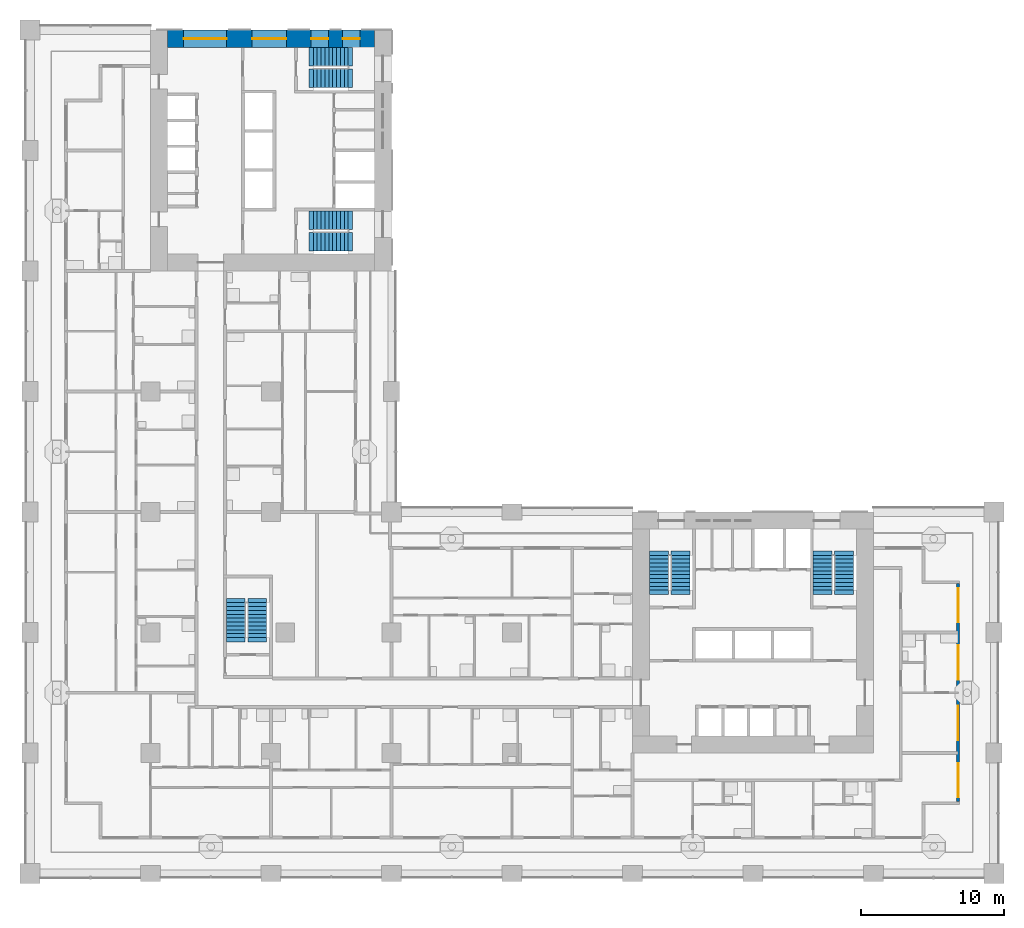
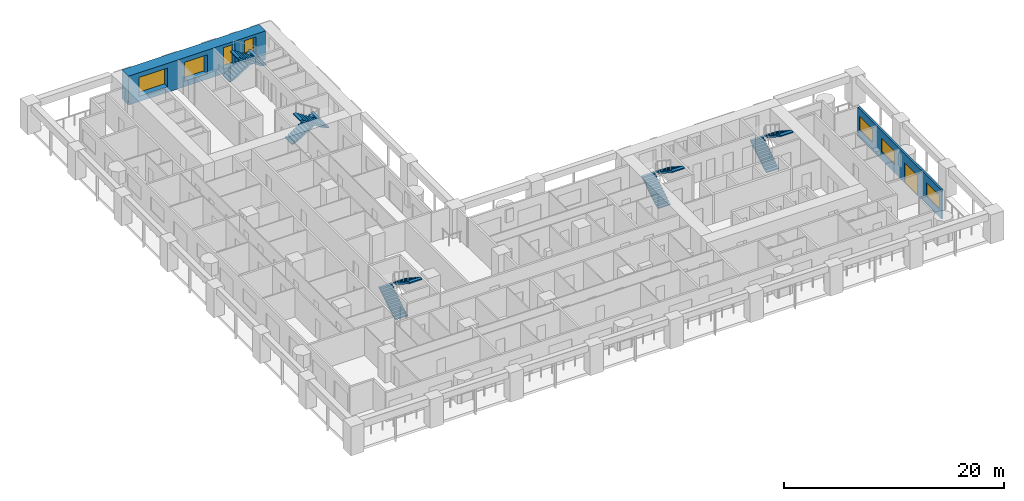
# One storey, part 11 of 22: 10 stair flights, 7 windows, 2 walls, 1 door, 8 openings, 5 elements without a shape of their own.
"""IFC4 building model written with IfcOpenShell, lengths in metres."""

import ifcopenshell
import ifcopenshell.guid

model = None  # the IFC model being written
_history = None  # IfcOwnerHistory: only IFC2X3 demands one
_inside = {}  # id of a spatial element -> (the spatial element, [elements in it])
_under = {}  # id of a project, library or spatial element -> (it, [spatial elements below it])
_declared = {}  # id of a project -> (the project, [libraries it declares])
_typed = {}  # id of a type object -> (the type object, [elements of that type])
_made_of = {}  # id of a material, layer set ... -> (it, [elements and type objects made of it])


def new_model(schema):
    """Start an empty IFC model of exactly this schema.

    Asked for "IFC4X3", IfcOpenShell would pick the latest addendum, in which some entities
    have other attributes; the version numbers below select the first issue.
    IFC2X3 requires an IfcOwnerHistory on every rooted entity: one is made here for all.
    """
    global model, _history
    if schema == "IFC4X3":
        model = ifcopenshell.file(schema_version=(4, 3, 0, 0))
    else:
        model = ifcopenshell.file(schema=schema)
    _inside.clear()
    _under.clear()
    _declared.clear()
    _typed.clear()
    _made_of.clear()
    _history = None
    if model.schema == "IFC2X3":
        org = make("IfcOrganization", Name="unknown")
        user = make(
            "IfcPersonAndOrganization",
            ThePerson=make("IfcPerson", FamilyName="unknown"),
            TheOrganization=org,
        )
        app = make(
            "IfcApplication",
            ApplicationDeveloper=org,
            Version="unknown",
            ApplicationFullName="unknown",
            ApplicationIdentifier="unknown",
        )
        _history = make(
            "IfcOwnerHistory",
            OwningUser=user,
            OwningApplication=app,
            ChangeAction="ADDED",
            CreationDate=0,
        )
    return model


def make(cls, **values):
    """One entity of the class cls with the attributes given. An attribute that is None is left unset."""
    return model.create_entity(
        cls, **{name: value for name, value in values.items() if value is not None}
    )


def rooted(cls, **values):
    """An entity with a GlobalId (a new one), such as an element, a storey or a relation."""
    return make(cls, GlobalId=ifcopenshell.guid.new(), OwnerHistory=_history, **values)


def si_unit(unit_type, name, prefix=None):
    """IfcSIUnit, for example si_unit("LENGTHUNIT", "METRE", prefix="MILLI")."""
    return make("IfcSIUnit", UnitType=unit_type, Prefix=prefix, Name=name)


def assignment(units):
    """IfcUnitAssignment: the units of a project."""
    return None if units is None else make("IfcUnitAssignment", Units=units)


def point(xyz):
    """IfcCartesianPoint."""
    return None if xyz is None else make("IfcCartesianPoint", Coordinates=xyz)


def direction(xyz):
    """IfcDirection."""
    return None if xyz is None else make("IfcDirection", DirectionRatios=xyz)


def frame(location, z_axis=None, x_axis=None):
    """IfcAxis2Placement3D, a coordinate frame: its origin and axes. An axis left out is left unset."""
    return make(
        "IfcAxis2Placement3D",
        Location=point(location),
        Axis=direction(z_axis),
        RefDirection=direction(x_axis),
    )


def frame_2d(location, x_axis=None):
    """IfcAxis2Placement2D, a coordinate frame in the plane: its origin and x axis."""
    return make(
        "IfcAxis2Placement2D", Location=point(location), RefDirection=direction(x_axis)
    )


def origin():
    """The frame at (0, 0, 0) with its axes left unset."""
    return frame((0.0, 0.0, 0.0))


def place(relative_to, where):
    """IfcLocalPlacement: puts the frame where relative to a parent placement (None: the world)."""
    return make(
        "IfcLocalPlacement", PlacementRelTo=relative_to, RelativePlacement=where
    )


def context(
    kind, dimensions, precision=None, world=None, true_north=None, identifier=None
):
    """IfcGeometricRepresentationContext, for example the 3D "Model" context."""
    return make(
        "IfcGeometricRepresentationContext",
        ContextIdentifier=identifier,
        ContextType=kind,
        CoordinateSpaceDimension=dimensions,
        Precision=precision,
        WorldCoordinateSystem=world,
        TrueNorth=true_north,
    )


def subcontext(parent, identifier, kind, view, scale=None):
    """IfcGeometricRepresentationSubContext, for example "Body" below "Model"."""
    return make(
        "IfcGeometricRepresentationSubContext",
        ContextIdentifier=identifier,
        ContextType=kind,
        ParentContext=parent,
        TargetScale=scale,
        TargetView=view,
    )


def project(units=None, contexts=None):
    """IfcProject with its units and contexts."""
    return rooted(
        "IfcProject",
        Name="project",
        RepresentationContexts=contexts,
        UnitsInContext=assignment(units),
    )


def spatial(cls, under=None, at=None, **own):
    """A site, building, storey or space (cls), placed at a placement, below another one or the project."""
    s = rooted(cls, ObjectPlacement=at, **own)
    if under is not None:
        _under.setdefault(under.id(), (under, []))[1].append(s)
    return s


def polyline(points):
    """IfcPolyline through the points."""
    return make("IfcPolyline", Points=[point(p) for p in points])


def profile(cls, at=None, kind="AREA", **sizes):
    """A parametric profile (cls). Its sizes go by their IFC names, for example OverallWidth=200.0."""
    return make(cls, ProfileType=kind, Position=at, **sizes)


def rectangle(**sizes):
    """IfcRectangleProfileDef."""
    return profile("IfcRectangleProfileDef", **sizes)


def outline(outer, holes=None, kind="AREA"):
    """IfcArbitraryClosedProfileDef: a profile drawn as a closed curve; with holes, ...WithVoids."""
    if holes is None:
        return make("IfcArbitraryClosedProfileDef", ProfileType=kind, OuterCurve=outer)
    return make(
        "IfcArbitraryProfileDefWithVoids",
        ProfileType=kind,
        OuterCurve=outer,
        InnerCurves=holes,
    )


def extrude(swept, where, along, depth):
    """IfcExtrudedAreaSolid: the profile swept, set in the frame where, extruded along a direction by depth."""
    return make(
        "IfcExtrudedAreaSolid",
        SweptArea=swept,
        Position=where,
        ExtrudedDirection=direction(along),
        Depth=depth,
    )


def shape(context_of_items, identifier, shape_type, items):
    """IfcShapeRepresentation: the items that make up one representation, for example the "Body"."""
    return make(
        "IfcShapeRepresentation",
        ContextOfItems=context_of_items,
        RepresentationIdentifier=identifier,
        RepresentationType=shape_type,
        Items=items,
    )


def material(Name=None, Category=None):
    """IfcMaterial."""
    return make("IfcMaterial", Name=Name, Category=Category)


def layer(
    of_material, thickness, ventilated=None, Name=None, Category=None, Priority=None
):
    """IfcMaterialLayer: one layer of a wall or slab, of a material (None: an air gap)."""
    return make(
        "IfcMaterialLayer",
        Material=of_material,
        LayerThickness=thickness,
        IsVentilated=ventilated,
        Name=Name,
        Category=Category,
        Priority=Priority,
    )


def layer_set(layers, Name=None):
    """IfcMaterialLayerSet."""
    return make("IfcMaterialLayerSet", MaterialLayers=layers, LayerSetName=Name)


def made_of(thing, what):
    """Note that an element or type object is made of a material, layer set ...; save() writes the relation."""
    if what is not None:
        _made_of.setdefault(what.id(), (what, []))[1].append(thing)
    return thing


def type_object(cls, material=None, **own):
    """A type object (cls), such as IfcWallType, which elements share."""
    return made_of(rooted(cls, **own), material)


def element(
    cls,
    number,
    at=None,
    inside=None,
    cuts=None,
    type_object=None,
    material=None,
    context=None,
    identifier="Body",
    shape_type=None,
    held_by="IfcProductDefinitionShape",
    body=None,
    shapes=None,
    **own,
):
    """One element of the class cls, such as IfcWall. Its Tag is "e" and its number.

    at: its placement. inside: the storey or other place that contains it. cuts: it is an
    opening in that element (IfcRelVoidsElement). A single representation is given by context,
    identifier, shape_type and body (its items); several are given by shapes. held_by: the class
    of the entity that holds the representations. save() writes the other relations.
    """
    e = rooted(cls, Tag="e%d" % number, ObjectPlacement=at, **own)
    if body is not None:
        shapes = [shape(context, identifier, shape_type, body)]
    if shapes is not None:
        e.Representation = make(held_by, Representations=shapes)
    if inside is not None:
        _inside.setdefault(inside.id(), (inside, []))[1].append(e)
    if cuts is not None:
        rooted(
            "IfcRelVoidsElement", RelatingBuildingElement=cuts, RelatedOpeningElement=e
        )
    if type_object is not None:
        _typed.setdefault(type_object.id(), (type_object, []))[1].append(e)
    return made_of(e, material)


def fill(opening, filler):
    """IfcRelFillsElement: the door or window that sits in an opening."""
    return rooted(
        "IfcRelFillsElement",
        RelatingOpeningElement=opening,
        RelatedBuildingElement=filler,
    )


def aggregate(whole, parts):
    """IfcRelAggregates: a whole, such as a stair, and the parts it consists of."""
    return rooted("IfcRelAggregates", RelatingObject=whole, RelatedObjects=parts)


def save(model, path):
    """Write the relations noted so far, then the file.

    IfcRelAggregates (storeys below a building ...), IfcRelContainedInSpatialStructure (elements
    in a storey), IfcRelDefinesByType, IfcRelAssociatesMaterial and IfcRelDeclares: one each for
    every whole, place, type object, material and project.
    """
    for whole, parts in _under.values():
        aggregate(whole, parts)
    for where, things in _inside.values():
        rooted(
            "IfcRelContainedInSpatialStructure",
            RelatedElements=things,
            RelatingStructure=where,
        )
    for kind, things in _typed.values():
        rooted("IfcRelDefinesByType", RelatedObjects=things, RelatingType=kind)
    for what, things in _made_of.values():
        rooted("IfcRelAssociatesMaterial", RelatedObjects=things, RelatingMaterial=what)
    for by, libraries in _declared.values():
        rooted("IfcRelDeclares", RelatingContext=by, RelatedDefinitions=libraries)
    model.write(path)


model = new_model("IFC4")

# Units and contexts
model_context = context("Model", 3, precision=1e-05, world=origin(), true_north=direction((0.0, 1.0)))
body_context = subcontext(model_context, "Body", "Model", "MODEL_VIEW")
ifc_project = project(units=[si_unit("LENGTHUNIT", "METRE"), si_unit("AREAUNIT", "SQUARE_METRE"), si_unit("VOLUMEUNIT", "CUBIC_METRE"), si_unit("PLANEANGLEUNIT", "RADIAN"), si_unit("MASSUNIT", "GRAM", prefix="KILO")], contexts=[model_context])

# Site, building, storey
site_placement = place(None, origin())
site = spatial("IfcSite", under=ifc_project, at=site_placement, CompositionType="ELEMENT")
building_placement = place(site_placement, origin())
building = spatial("IfcBuilding", under=site, at=building_placement, Name="Vermilion Gate Residences", CompositionType="ELEMENT")
storey_placement = place(building_placement, frame((0.0, 0.0, 63.699951171875)))
storey = spatial("IfcBuildingStorey", under=building, at=storey_placement, Name="L15", CompositionType="ELEMENT", Elevation=63.699951171875)

# Wall, openings, door, windows
ifc_material_1 = material(Name="Insulated steel stud wall with terracotta rainscreen", Category="masonry")
ifc_layer_1 = layer(ifc_material_1, 0.199951171875)
ifc_layer_set_1 = layer_set([ifc_layer_1], Name="EXTERNAL WALL 200 TERRACOTTA RAINSCREEN")
wall_type_1 = type_object("IfcWallType", Name="EXTERNAL WALL 200 TERRACOTTA RAINSCREEN", PredefinedType="SOLIDWALL", material=ifc_layer_set_1)
wall_1_placement = place(storey_placement, frame((64.699951171875, 5.0, 0.0), z_axis=(0.0, 0.0, 1.0), x_axis=(0.0, 1.0, 0.0)))
wall_1 = element("IfcWall", 1, at=wall_1_placement, inside=storey, type_object=wall_type_1, Name="External wall", PredefinedType="SOLIDWALL", context=body_context, shape_type="SweptSolid", body=[
    extrude(rectangle(XDim=15.199951171875, YDim=0.199951171875, at=frame_2d((7.60009765625, 0.0))), origin(), (0.0, 0.0, 1.0), 3.219970703125),
])
opening_1_placement = place(wall_1_placement, frame((0.300048828125, 0.0, 0.89990234375)))
opening_1 = element("IfcOpeningElement", 2, at=opening_1_placement, cuts=wall_1, Name="Opening WE15028", PredefinedType="OPENING", context=body_context, shape_type="SweptSolid", body=[
    extrude(rectangle(XDim=2.39990234375, YDim=1.5, at=frame_2d((1.199951171875, 0.75))), frame((0.0, 0.10986328125, 0.0), z_axis=(0.0, -1.0, 0.0), x_axis=(1.0, 0.0, 0.0)), (0.0, 0.0, 1.0), 0.219970703125),
])
opening_2_placement = place(wall_1_placement, frame((4.300048828125, 0.0, 0.0)))
opening_2 = element("IfcOpeningElement", 3, at=opening_2_placement, cuts=wall_1, Name="Opening DE15029", PredefinedType="OPENING", context=body_context, shape_type="SweptSolid", body=[
    extrude(rectangle(XDim=2.39990234375, YDim=2.199951171875, at=frame_2d((1.199951171875, 1.10009765625))), frame((0.0, 0.10986328125, 0.0), z_axis=(0.0, -1.0, 0.0), x_axis=(1.0, 0.0, 0.0)), (0.0, 0.0, 1.0), 0.219970703125),
])
opening_3_placement = place(wall_1_placement, frame((8.5, 0.0, 0.89990234375)))
opening_3 = element("IfcOpeningElement", 4, at=opening_3_placement, cuts=wall_1, Name="Opening WE15030", PredefinedType="OPENING", context=body_context, shape_type="SweptSolid", body=[
    extrude(rectangle(XDim=2.39990234375, YDim=1.5, at=frame_2d((1.199951171875, 0.75))), frame((0.0, 0.10986328125, 0.0), z_axis=(0.0, -1.0, 0.0), x_axis=(1.0, 0.0, 0.0)), (0.0, 0.0, 1.0), 0.219970703125),
])
opening_4_placement = place(wall_1_placement, frame((12.5, 0.0, 0.89990234375)))
opening_4 = element("IfcOpeningElement", 5, at=opening_4_placement, cuts=wall_1, Name="Opening WE15031", PredefinedType="OPENING", context=body_context, shape_type="SweptSolid", body=[
    extrude(rectangle(XDim=2.39990234375, YDim=1.5, at=frame_2d((1.199951171875, 0.75))), frame((0.0, 0.10986328125, 0.0), z_axis=(0.0, -1.0, 0.0), x_axis=(1.0, 0.0, 0.0)), (0.0, 0.0, 1.0), 0.219970703125),
])
ifc_material_2 = material(Name="Aluminium and clear glass", Category="aluminium")
door_type = type_object("IfcDoorType", Name="SLIDING GLAZED DOOR 2400 X 2200", OperationType="DOUBLE_DOOR_SLIDING", PredefinedType="DOOR", material=ifc_material_2)
door_placement = place(opening_2_placement, origin())
door = element("IfcDoor", 6, at=door_placement, inside=storey, type_object=door_type, Name="Loggia sliding door", OperationType="DOUBLE_DOOR_SLIDING", OverallHeight=2.199951171875, OverallWidth=2.39990234375, PredefinedType="DOOR", context=body_context, shape_type="SweptSolid", body=[
    extrude(rectangle(XDim=2.39990234375, YDim=2.199951171875, at=frame_2d((1.199951171875, 1.10009765625))), frame((0.0, 0.02490234375, 0.0), z_axis=(0.0, -1.0, 0.0), x_axis=(1.0, 0.0, 0.0)), (0.0, 0.0, 1.0), 0.050048828125),
])
fill(opening_2, door)
ifc_material_3 = material(Name="Aluminium and clear glass", Category="aluminium")
window_type_1 = type_object("IfcWindowType", Name="WINDOW 2400 X 1500", PartitioningType="SINGLE_PANEL", PredefinedType="WINDOW", material=ifc_material_3)
window_1_placement = place(opening_1_placement, origin())
window_1 = element("IfcWindow", 7, at=window_1_placement, inside=storey, type_object=window_type_1, Name="Window", OverallHeight=1.5, OverallWidth=2.39990234375, PartitioningType="SINGLE_PANEL", PredefinedType="WINDOW", context=body_context, shape_type="SweptSolid", body=[
    extrude(rectangle(XDim=2.39990234375, YDim=1.5, at=frame_2d((1.199951171875, 0.75))), frame((0.0, 0.030029296875, 0.0), z_axis=(0.0, -1.0, 0.0), x_axis=(1.0, 0.0, 0.0)), (0.0, 0.0, 1.0), 0.06005859375),
])
fill(opening_1, window_1)
window_2_placement = place(opening_3_placement, origin())
window_2 = element("IfcWindow", 8, at=window_2_placement, inside=storey, type_object=window_type_1, Name="Window", OverallHeight=1.5, OverallWidth=2.39990234375, PartitioningType="SINGLE_PANEL", PredefinedType="WINDOW", context=body_context, shape_type="SweptSolid", body=[
    extrude(rectangle(XDim=2.39990234375, YDim=1.5, at=frame_2d((1.199951171875, 0.75))), frame((0.0, 0.030029296875, 0.0), z_axis=(0.0, -1.0, 0.0), x_axis=(1.0, 0.0, 0.0)), (0.0, 0.0, 1.0), 0.06005859375),
])
fill(opening_3, window_2)
window_3_placement = place(opening_4_placement, origin())
window_3 = element("IfcWindow", 9, at=window_3_placement, inside=storey, type_object=window_type_1, Name="Window", OverallHeight=1.5, OverallWidth=2.39990234375, PartitioningType="SINGLE_PANEL", PredefinedType="WINDOW", context=body_context, shape_type="SweptSolid", body=[
    extrude(rectangle(XDim=2.39990234375, YDim=1.5, at=frame_2d((1.199951171875, 0.75))), frame((0.0, 0.030029296875, 0.0), z_axis=(0.0, -1.0, 0.0), x_axis=(1.0, 0.0, 0.0)), (0.0, 0.0, 1.0), 0.06005859375),
])
fill(opening_4, window_3)

# Wall, openings, windows
ifc_material_4 = material(Name="Concrete C80 red-oxide pigmented", Category="concrete")
ifc_layer_2 = layer(ifc_material_4, 1.199951171875)
ifc_layer_set_2 = layer_set([ifc_layer_2], Name="RC CORE WALL 1200 C80 RED OXIDE")
wall_type_2 = type_object("IfcWallType", Name="RC CORE WALL 1200 C80 RED OXIDE", PredefinedType="SHEAR", material=ifc_layer_set_2)
wall_2_placement = place(storey_placement, frame((9.60009765625, 58.199951171875, 0.0), z_axis=(0.0, 0.0, 1.0), x_axis=(1.0, 0.0, 0.0)))
wall_2 = element("IfcWall", 10, at=wall_2_placement, inside=storey, type_object=wall_type_2, Name="Core wall B15-OUT-FR", PredefinedType="SHEAR", context=body_context, shape_type="SweptSolid", body=[
    extrude(rectangle(XDim=14.39990234375, YDim=1.199951171875, at=frame_2d((7.199951171875, 0.0))), origin(), (0.0, 0.0, 1.0), 3.219970703125),
])
opening_5_placement = place(wall_2_placement, frame((1.10498046875, 0.0, 0.60009765625)))
opening_5 = element("IfcOpeningElement", 11, at=opening_5_placement, cuts=wall_2, Name="Opening WKB1506", PredefinedType="OPENING", context=body_context, shape_type="SweptSolid", body=[
    extrude(rectangle(XDim=3.0, YDim=2.10009765625, at=frame_2d((1.5, 1.050048828125))), frame((0.0, 0.60986328125, 0.0), z_axis=(0.0, -1.0, 0.0), x_axis=(1.0, 0.0, 0.0)), (0.0, 0.0, 1.0), 1.219970703125),
])
opening_6_placement = place(wall_2_placement, frame((5.875, 0.0, 0.60009765625)))
opening_6 = element("IfcOpeningElement", 12, at=opening_6_placement, cuts=wall_2, Name="Opening WKB1507", PredefinedType="OPENING", context=body_context, shape_type="SweptSolid", body=[
    extrude(rectangle(XDim=2.39990234375, YDim=2.10009765625, at=frame_2d((1.199951171875, 1.050048828125))), frame((0.0, 0.60986328125, 0.0), z_axis=(0.0, -1.0, 0.0), x_axis=(1.0, 0.0, 0.0)), (0.0, 0.0, 1.0), 1.219970703125),
])
opening_7_placement = place(wall_2_placement, frame((9.993408203125, 0.0, 0.5)))
opening_7 = element("IfcOpeningElement", 13, at=opening_7_placement, cuts=wall_2, Name="Opening WKB1508", PredefinedType="OPENING", context=body_context, shape_type="SweptSolid", body=[
    extrude(rectangle(XDim=1.199951171875, YDim=2.39990234375, at=frame_2d((0.60009765625, 1.199951171875))), frame((0.0, 0.60986328125, 0.0), z_axis=(0.0, -1.0, 0.0), x_axis=(1.0, 0.0, 0.0)), (0.0, 0.0, 1.0), 1.219970703125),
])
opening_8_placement = place(wall_2_placement, frame((12.19677734375, 0.0, 0.5)))
opening_8 = element("IfcOpeningElement", 14, at=opening_8_placement, cuts=wall_2, Name="Opening WKB1509", PredefinedType="OPENING", context=body_context, shape_type="SweptSolid", body=[
    extrude(rectangle(XDim=1.199951171875, YDim=2.39990234375, at=frame_2d((0.60009765625, 1.199951171875))), frame((0.0, 0.60986328125, 0.0), z_axis=(0.0, -1.0, 0.0), x_axis=(1.0, 0.0, 0.0)), (0.0, 0.0, 1.0), 1.219970703125),
])
ifc_material_5 = material(Name="Aluminium and clear glass", Category="aluminium")
window_type_2 = type_object("IfcWindowType", Name="CORE LOBBY WINDOW 2400 X 2100", PartitioningType="SINGLE_PANEL", PredefinedType="WINDOW", material=ifc_material_5)
window_4_placement = place(opening_6_placement, origin())
window_4 = element("IfcWindow", 15, at=window_4_placement, inside=storey, type_object=window_type_2, Name="Core lobby window", OverallHeight=2.10009765625, OverallWidth=2.39990234375, PartitioningType="SINGLE_PANEL", PredefinedType="WINDOW", context=body_context, shape_type="SweptSolid", body=[
    extrude(rectangle(XDim=2.39990234375, YDim=2.10009765625, at=frame_2d((1.199951171875, 1.050048828125))), frame((0.0, 0.030029296875, 0.0), z_axis=(0.0, -1.0, 0.0), x_axis=(1.0, 0.0, 0.0)), (0.0, 0.0, 1.0), 0.06005859375),
])
fill(opening_6, window_4)
ifc_material_6 = material(Name="Aluminium and clear glass", Category="aluminium")
window_type_3 = type_object("IfcWindowType", Name="CORE LOBBY WINDOW 3000 X 2100", PartitioningType="SINGLE_PANEL", PredefinedType="WINDOW", material=ifc_material_6)
window_5_placement = place(opening_5_placement, origin())
window_5 = element("IfcWindow", 16, at=window_5_placement, inside=storey, type_object=window_type_3, Name="Core lobby window", OverallHeight=2.10009765625, OverallWidth=3.0, PartitioningType="SINGLE_PANEL", PredefinedType="WINDOW", context=body_context, shape_type="SweptSolid", body=[
    extrude(rectangle(XDim=3.0, YDim=2.10009765625, at=frame_2d((1.5, 1.050048828125))), frame((0.0, 0.030029296875, 0.0), z_axis=(0.0, -1.0, 0.0), x_axis=(1.0, 0.0, 0.0)), (0.0, 0.0, 1.0), 0.06005859375),
])
fill(opening_5, window_5)
ifc_material_7 = material(Name="Aluminium and clear glass", Category="aluminium")
window_type_4 = type_object("IfcWindowType", Name="CORE STAIR WINDOW 1200 X 2400", PartitioningType="SINGLE_PANEL", PredefinedType="WINDOW", material=ifc_material_7)
window_6_placement = place(opening_7_placement, origin())
window_6 = element("IfcWindow", 17, at=window_6_placement, inside=storey, type_object=window_type_4, Name="Core stair window", OverallHeight=2.39990234375, OverallWidth=1.199951171875, PartitioningType="SINGLE_PANEL", PredefinedType="WINDOW", context=body_context, shape_type="SweptSolid", body=[
    extrude(rectangle(XDim=1.199951171875, YDim=2.39990234375, at=frame_2d((0.60009765625, 1.199951171875))), frame((0.0, 0.030029296875, 0.0), z_axis=(0.0, -1.0, 0.0), x_axis=(1.0, 0.0, 0.0)), (0.0, 0.0, 1.0), 0.06005859375),
])
fill(opening_7, window_6)
window_7_placement = place(opening_8_placement, origin())
window_7 = element("IfcWindow", 18, at=window_7_placement, inside=storey, type_object=window_type_4, Name="Core stair window", OverallHeight=2.39990234375, OverallWidth=1.199951171875, PartitioningType="SINGLE_PANEL", PredefinedType="WINDOW", context=body_context, shape_type="SweptSolid", body=[
    extrude(rectangle(XDim=1.199951171875, YDim=2.39990234375, at=frame_2d((0.60009765625, 1.199951171875))), frame((0.0, 0.030029296875, 0.0), z_axis=(0.0, -1.0, 0.0), x_axis=(1.0, 0.0, 0.0)), (0.0, 0.0, 1.0), 0.06005859375),
])
fill(opening_8, window_7)

# Stair, stair flights
ifc_material_8 = material(Name="Concrete C50", Category="concrete")
stair_type = type_object("IfcStairType", Name="SPECIAL ESCAPE STAIR 1300", PredefinedType="HALF_TURN_STAIR", material=ifc_material_8)
stair_1_placement = place(storey_placement, origin())
stair_1 = element("IfcStair", 19, at=stair_1_placement, inside=storey, type_object=stair_type, Name="Special escape stair STA1-15", PredefinedType="HALF_TURN_STAIR")
ifc_material_9 = material(Name="Concrete C50", Category="concrete")
stair_flight_type = type_object("IfcStairFlightType", Name="STAIR FLIGHT 1300 RC C50", PredefinedType="STRAIGHT", material=ifc_material_9)
stair_flight_1_placement = place(storey_placement, frame((43.85009765625, 19.75, 0.0), z_axis=(0.0, 0.0, 1.0), x_axis=(0.0, 1.0, 0.0)))
stair_flight_1 = element("IfcStairFlight", 20, at=stair_flight_1_placement, type_object=stair_flight_type, Name="STA1-15 flight 1", NumberOfRisers=10, NumberOfTreads=9, PredefinedType="STRAIGHT", RiserHeight=0.175, TreadLength=0.27, context=body_context, shape_type="SweptSolid", body=[
    extrude(outline(polyline([(-0.300048828125, -0.14990234375), (-0.300048828125, -0.030029296875), (0.0, 0.0), (0.0, 0.175048828125), (0.27001953125, 0.175048828125), (0.27001953125, 0.35009765625), (0.5400390625, 0.35009765625), (0.5400390625, 0.52490234375), (0.81005859375, 0.52490234375), (0.81005859375, 0.699951171875), (1.080078125, 0.699951171875), (1.080078125, 0.875), (1.35009765625, 0.875), (1.35009765625, 1.050048828125), (1.6201171875, 1.050048828125), (1.6201171875, 1.22509765625), (1.889892578125, 1.22509765625), (1.889892578125, 1.39990234375), (2.159912109375, 1.39990234375), (2.159912109375, 1.574951171875), (2.429931640625, 1.574951171875), (2.429931640625, 1.75), (2.72998046875, 1.719970703125), (2.72998046875, 1.60009765625), (2.429931640625, 1.396484375), (0.275634765625, 0.0), (-0.300048828125, -0.14990234375)])), frame((0.0, 0.64990234375, 0.0), z_axis=(0.0, -1.0, 0.0), x_axis=(1.0, 0.0, 0.0)), (0.0, 0.0, 1.0), 1.300048828125),
])
stair_flight_2_placement = place(storey_placement, frame((45.35009765625, 22.179931640625, 1.75), z_axis=(0.0, 0.0, 1.0), x_axis=(0.0, -1.0, 0.0)))
stair_flight_2 = element("IfcStairFlight", 21, at=stair_flight_2_placement, type_object=stair_flight_type, Name="STA1-15 flight 2", NumberOfRisers=10, NumberOfTreads=9, PredefinedType="STRAIGHT", RiserHeight=0.175, TreadLength=0.27, context=body_context, shape_type="SweptSolid", body=[
    extrude(outline(polyline([(-0.300048828125, -0.14990234375), (-0.300048828125, -0.030029296875), (0.0, 0.0), (0.0, 0.175048828125), (0.27001953125, 0.175048828125), (0.27001953125, 0.35009765625), (0.5400390625, 0.35009765625), (0.5400390625, 0.52490234375), (0.81005859375, 0.52490234375), (0.81005859375, 0.699951171875), (1.080078125, 0.699951171875), (1.080078125, 0.875), (1.35009765625, 0.875), (1.35009765625, 1.050048828125), (1.6201171875, 1.050048828125), (1.6201171875, 1.22509765625), (1.889892578125, 1.22509765625), (1.889892578125, 1.39990234375), (2.159912109375, 1.39990234375), (2.159912109375, 1.574951171875), (2.429931640625, 1.574951171875), (2.429931640625, 1.75), (2.72998046875, 1.719970703125), (2.72998046875, 1.60009765625), (2.429931640625, 1.396484375), (0.275634765625, 0.0), (-0.300048828125, -0.14990234375)])), frame((0.0, 0.64990234375, 0.0), z_axis=(0.0, -1.0, 0.0), x_axis=(1.0, 0.0, 0.0)), (0.0, 0.0, 1.0), 1.300048828125),
])
aggregate(stair_1, [stair_flight_1, stair_flight_2])

stair_2_placement = place(storey_placement, origin())
stair_2 = element("IfcStair", 22, at=stair_2_placement, inside=storey, type_object=stair_type, Name="Special escape stair STA2-15", PredefinedType="HALF_TURN_STAIR")
stair_flight_3_placement = place(storey_placement, frame((55.25, 19.75, 0.0), z_axis=(0.0, 0.0, 1.0), x_axis=(0.0, 1.0, 0.0)))
stair_flight_3 = element("IfcStairFlight", 23, at=stair_flight_3_placement, type_object=stair_flight_type, Name="STA2-15 flight 1", NumberOfRisers=10, NumberOfTreads=9, PredefinedType="STRAIGHT", RiserHeight=0.175, TreadLength=0.27, context=body_context, shape_type="SweptSolid", body=[
    extrude(outline(polyline([(-0.300048828125, -0.14990234375), (-0.300048828125, -0.030029296875), (0.0, 0.0), (0.0, 0.175048828125), (0.27001953125, 0.175048828125), (0.27001953125, 0.35009765625), (0.5400390625, 0.35009765625), (0.5400390625, 0.52490234375), (0.81005859375, 0.52490234375), (0.81005859375, 0.699951171875), (1.080078125, 0.699951171875), (1.080078125, 0.875), (1.35009765625, 0.875), (1.35009765625, 1.050048828125), (1.6201171875, 1.050048828125), (1.6201171875, 1.22509765625), (1.889892578125, 1.22509765625), (1.889892578125, 1.39990234375), (2.159912109375, 1.39990234375), (2.159912109375, 1.574951171875), (2.429931640625, 1.574951171875), (2.429931640625, 1.75), (2.72998046875, 1.719970703125), (2.72998046875, 1.60009765625), (2.429931640625, 1.396484375), (0.275634765625, 0.0), (-0.300048828125, -0.14990234375)])), frame((0.0, 0.64990234375, 0.0), z_axis=(0.0, -1.0, 0.0), x_axis=(1.0, 0.0, 0.0)), (0.0, 0.0, 1.0), 1.300048828125),
])
stair_flight_4_placement = place(storey_placement, frame((56.75, 22.179931640625, 1.75), z_axis=(0.0, 0.0, 1.0), x_axis=(0.0, -1.0, 0.0)))
stair_flight_4 = element("IfcStairFlight", 24, at=stair_flight_4_placement, type_object=stair_flight_type, Name="STA2-15 flight 2", NumberOfRisers=10, NumberOfTreads=9, PredefinedType="STRAIGHT", RiserHeight=0.175, TreadLength=0.27, context=body_context, shape_type="SweptSolid", body=[
    extrude(outline(polyline([(-0.300048828125, -0.14990234375), (-0.300048828125, -0.030029296875), (0.0, 0.0), (0.0, 0.175048828125), (0.27001953125, 0.175048828125), (0.27001953125, 0.35009765625), (0.5400390625, 0.35009765625), (0.5400390625, 0.52490234375), (0.81005859375, 0.52490234375), (0.81005859375, 0.699951171875), (1.080078125, 0.699951171875), (1.080078125, 0.875), (1.35009765625, 0.875), (1.35009765625, 1.050048828125), (1.6201171875, 1.050048828125), (1.6201171875, 1.22509765625), (1.889892578125, 1.22509765625), (1.889892578125, 1.39990234375), (2.159912109375, 1.39990234375), (2.159912109375, 1.574951171875), (2.429931640625, 1.574951171875), (2.429931640625, 1.75), (2.72998046875, 1.719970703125), (2.72998046875, 1.60009765625), (2.429931640625, 1.396484375), (0.275634765625, 0.0), (-0.300048828125, -0.14990234375)])), frame((0.0, 0.64990234375, 0.0), z_axis=(0.0, -1.0, 0.0), x_axis=(1.0, 0.0, 0.0)), (0.0, 0.0, 1.0), 1.300048828125),
])
aggregate(stair_2, [stair_flight_3, stair_flight_4])

stair_3_placement = place(storey_placement, origin())
stair_3 = element("IfcStair", 25, at=stair_3_placement, inside=storey, type_object=stair_type, Name="Special escape stair STB1-15", PredefinedType="HALF_TURN_STAIR")
stair_flight_5_placement = place(storey_placement, frame((19.75, 56.949951171875, 0.0), z_axis=(0.0, 0.0, 1.0), x_axis=(1.0, 0.0, 0.0)))
stair_flight_5 = element("IfcStairFlight", 26, at=stair_flight_5_placement, type_object=stair_flight_type, Name="STB1-15 flight 1", NumberOfRisers=10, NumberOfTreads=9, PredefinedType="STRAIGHT", RiserHeight=0.175, TreadLength=0.27, context=body_context, shape_type="SweptSolid", body=[
    extrude(outline(polyline([(-0.300048828125, -0.14990234375), (-0.300048828125, -0.030029296875), (0.0, 0.0), (0.0, 0.175048828125), (0.27001953125, 0.175048828125), (0.27001953125, 0.35009765625), (0.5400390625, 0.35009765625), (0.5400390625, 0.52490234375), (0.81005859375, 0.52490234375), (0.81005859375, 0.699951171875), (1.080078125, 0.699951171875), (1.080078125, 0.875), (1.35009765625, 0.875), (1.35009765625, 1.050048828125), (1.6201171875, 1.050048828125), (1.6201171875, 1.22509765625), (1.889892578125, 1.22509765625), (1.889892578125, 1.39990234375), (2.159912109375, 1.39990234375), (2.159912109375, 1.574951171875), (2.429931640625, 1.574951171875), (2.429931640625, 1.75), (2.72998046875, 1.719970703125), (2.72998046875, 1.60009765625), (2.429931640625, 1.396484375), (0.275634765625, 0.0), (-0.300048828125, -0.14990234375)])), frame((0.0, 0.64990234375, 0.0), z_axis=(0.0, -1.0, 0.0), x_axis=(1.0, 0.0, 0.0)), (0.0, 0.0, 1.0), 1.300048828125),
])
stair_flight_6_placement = place(storey_placement, frame((22.179931640625, 55.449951171875, 1.75), z_axis=(0.0, 0.0, 1.0), x_axis=(-1.0, 0.0, 0.0)))
stair_flight_6 = element("IfcStairFlight", 27, at=stair_flight_6_placement, type_object=stair_flight_type, Name="STB1-15 flight 2", NumberOfRisers=10, NumberOfTreads=9, PredefinedType="STRAIGHT", RiserHeight=0.175, TreadLength=0.27, context=body_context, shape_type="SweptSolid", body=[
    extrude(outline(polyline([(-0.300048828125, -0.14990234375), (-0.300048828125, -0.030029296875), (0.0, 0.0), (0.0, 0.175048828125), (0.27001953125, 0.175048828125), (0.27001953125, 0.35009765625), (0.5400390625, 0.35009765625), (0.5400390625, 0.52490234375), (0.81005859375, 0.52490234375), (0.81005859375, 0.699951171875), (1.080078125, 0.699951171875), (1.080078125, 0.875), (1.35009765625, 0.875), (1.35009765625, 1.050048828125), (1.6201171875, 1.050048828125), (1.6201171875, 1.22509765625), (1.889892578125, 1.22509765625), (1.889892578125, 1.39990234375), (2.159912109375, 1.39990234375), (2.159912109375, 1.574951171875), (2.429931640625, 1.574951171875), (2.429931640625, 1.75), (2.72998046875, 1.719970703125), (2.72998046875, 1.60009765625), (2.429931640625, 1.396484375), (0.275634765625, 0.0), (-0.300048828125, -0.14990234375)])), frame((0.0, 0.64990234375, 0.0), z_axis=(0.0, -1.0, 0.0), x_axis=(1.0, 0.0, 0.0)), (0.0, 0.0, 1.0), 1.300048828125),
])
aggregate(stair_3, [stair_flight_5, stair_flight_6])

stair_4_placement = place(storey_placement, origin())
stair_4 = element("IfcStair", 28, at=stair_4_placement, inside=storey, type_object=stair_type, Name="Special escape stair STB2-15", PredefinedType="HALF_TURN_STAIR")
stair_flight_7_placement = place(storey_placement, frame((19.75, 45.550048828125, 0.0), z_axis=(0.0, 0.0, 1.0), x_axis=(1.0, 0.0, 0.0)))
stair_flight_7 = element("IfcStairFlight", 29, at=stair_flight_7_placement, type_object=stair_flight_type, Name="STB2-15 flight 1", NumberOfRisers=10, NumberOfTreads=9, PredefinedType="STRAIGHT", RiserHeight=0.175, TreadLength=0.27, context=body_context, shape_type="SweptSolid", body=[
    extrude(outline(polyline([(-0.300048828125, -0.14990234375), (-0.300048828125, -0.030029296875), (0.0, 0.0), (0.0, 0.175048828125), (0.27001953125, 0.175048828125), (0.27001953125, 0.35009765625), (0.5400390625, 0.35009765625), (0.5400390625, 0.52490234375), (0.81005859375, 0.52490234375), (0.81005859375, 0.699951171875), (1.080078125, 0.699951171875), (1.080078125, 0.875), (1.35009765625, 0.875), (1.35009765625, 1.050048828125), (1.6201171875, 1.050048828125), (1.6201171875, 1.22509765625), (1.889892578125, 1.22509765625), (1.889892578125, 1.39990234375), (2.159912109375, 1.39990234375), (2.159912109375, 1.574951171875), (2.429931640625, 1.574951171875), (2.429931640625, 1.75), (2.72998046875, 1.719970703125), (2.72998046875, 1.60009765625), (2.429931640625, 1.396484375), (0.275634765625, 0.0), (-0.300048828125, -0.14990234375)])), frame((0.0, 0.64990234375, 0.0), z_axis=(0.0, -1.0, 0.0), x_axis=(1.0, 0.0, 0.0)), (0.0, 0.0, 1.0), 1.300048828125),
])
stair_flight_8_placement = place(storey_placement, frame((22.179931640625, 44.050048828125, 1.75), z_axis=(0.0, 0.0, 1.0), x_axis=(-1.0, 0.0, 0.0)))
stair_flight_8 = element("IfcStairFlight", 30, at=stair_flight_8_placement, type_object=stair_flight_type, Name="STB2-15 flight 2", NumberOfRisers=10, NumberOfTreads=9, PredefinedType="STRAIGHT", RiserHeight=0.175, TreadLength=0.27, context=body_context, shape_type="SweptSolid", body=[
    extrude(outline(polyline([(-0.300048828125, -0.14990234375), (-0.300048828125, -0.030029296875), (0.0, 0.0), (0.0, 0.175048828125), (0.27001953125, 0.175048828125), (0.27001953125, 0.35009765625), (0.5400390625, 0.35009765625), (0.5400390625, 0.52490234375), (0.81005859375, 0.52490234375), (0.81005859375, 0.699951171875), (1.080078125, 0.699951171875), (1.080078125, 0.875), (1.35009765625, 0.875), (1.35009765625, 1.050048828125), (1.6201171875, 1.050048828125), (1.6201171875, 1.22509765625), (1.889892578125, 1.22509765625), (1.889892578125, 1.39990234375), (2.159912109375, 1.39990234375), (2.159912109375, 1.574951171875), (2.429931640625, 1.574951171875), (2.429931640625, 1.75), (2.72998046875, 1.719970703125), (2.72998046875, 1.60009765625), (2.429931640625, 1.396484375), (0.275634765625, 0.0), (-0.300048828125, -0.14990234375)])), frame((0.0, 0.64990234375, 0.0), z_axis=(0.0, -1.0, 0.0), x_axis=(1.0, 0.0, 0.0)), (0.0, 0.0, 1.0), 1.300048828125),
])
aggregate(stair_4, [stair_flight_7, stair_flight_8])

stair_5_placement = place(storey_placement, origin())
stair_5 = element("IfcStair", 31, at=stair_5_placement, inside=storey, type_object=stair_type, Name="Special escape stair STC1-15", PredefinedType="HALF_TURN_STAIR")
stair_flight_9_placement = place(storey_placement, frame((14.35009765625, 16.449951171875, 0.0), z_axis=(0.0, 0.0, 1.0), x_axis=(0.0, 1.0, 0.0)))
stair_flight_9 = element("IfcStairFlight", 32, at=stair_flight_9_placement, type_object=stair_flight_type, Name="STC1-15 flight 1", NumberOfRisers=10, NumberOfTreads=9, PredefinedType="STRAIGHT", RiserHeight=0.175, TreadLength=0.27, context=body_context, shape_type="SweptSolid", body=[
    extrude(outline(polyline([(-0.300048828125, -0.14990234375), (-0.300048828125, -0.030029296875), (0.0, 0.0), (0.0, 0.175048828125), (0.27001953125, 0.175048828125), (0.27001953125, 0.35009765625), (0.5400390625, 0.35009765625), (0.5400390625, 0.52490234375), (0.81005859375, 0.52490234375), (0.81005859375, 0.699951171875), (1.080078125, 0.699951171875), (1.080078125, 0.875), (1.35009765625, 0.875), (1.35009765625, 1.050048828125), (1.6201171875, 1.050048828125), (1.6201171875, 1.22509765625), (1.889892578125, 1.22509765625), (1.889892578125, 1.39990234375), (2.159912109375, 1.39990234375), (2.159912109375, 1.574951171875), (2.429931640625, 1.574951171875), (2.429931640625, 1.75), (2.72998046875, 1.719970703125), (2.72998046875, 1.60009765625), (2.429931640625, 1.396484375), (0.275634765625, 0.0), (-0.300048828125, -0.14990234375)])), frame((0.0, 0.64990234375, 0.0), z_axis=(0.0, -1.0, 0.0), x_axis=(1.0, 0.0, 0.0)), (0.0, 0.0, 1.0), 1.300048828125),
])
stair_flight_10_placement = place(storey_placement, frame((15.85009765625, 18.8798828125, 1.75), z_axis=(0.0, 0.0, 1.0), x_axis=(0.0, -1.0, 0.0)))
stair_flight_10 = element("IfcStairFlight", 33, at=stair_flight_10_placement, type_object=stair_flight_type, Name="STC1-15 flight 2", NumberOfRisers=10, NumberOfTreads=9, PredefinedType="STRAIGHT", RiserHeight=0.175, TreadLength=0.27, context=body_context, shape_type="SweptSolid", body=[
    extrude(outline(polyline([(-0.300048828125, -0.14990234375), (-0.300048828125, -0.030029296875), (0.0, 0.0), (0.0, 0.175048828125), (0.27001953125, 0.175048828125), (0.27001953125, 0.35009765625), (0.5400390625, 0.35009765625), (0.5400390625, 0.52490234375), (0.81005859375, 0.52490234375), (0.81005859375, 0.699951171875), (1.080078125, 0.699951171875), (1.080078125, 0.875), (1.35009765625, 0.875), (1.35009765625, 1.050048828125), (1.6201171875, 1.050048828125), (1.6201171875, 1.22509765625), (1.889892578125, 1.22509765625), (1.889892578125, 1.39990234375), (2.159912109375, 1.39990234375), (2.159912109375, 1.574951171875), (2.429931640625, 1.574951171875), (2.429931640625, 1.75), (2.72998046875, 1.719970703125), (2.72998046875, 1.60009765625), (2.429931640625, 1.396484375), (0.275634765625, 0.0), (-0.300048828125, -0.14990234375)])), frame((0.0, 0.64990234375, 0.0), z_axis=(0.0, -1.0, 0.0), x_axis=(1.0, 0.0, 0.0)), (0.0, 0.0, 1.0), 1.300048828125),
])
aggregate(stair_5, [stair_flight_9, stair_flight_10])

save(model, "model.ifc")
